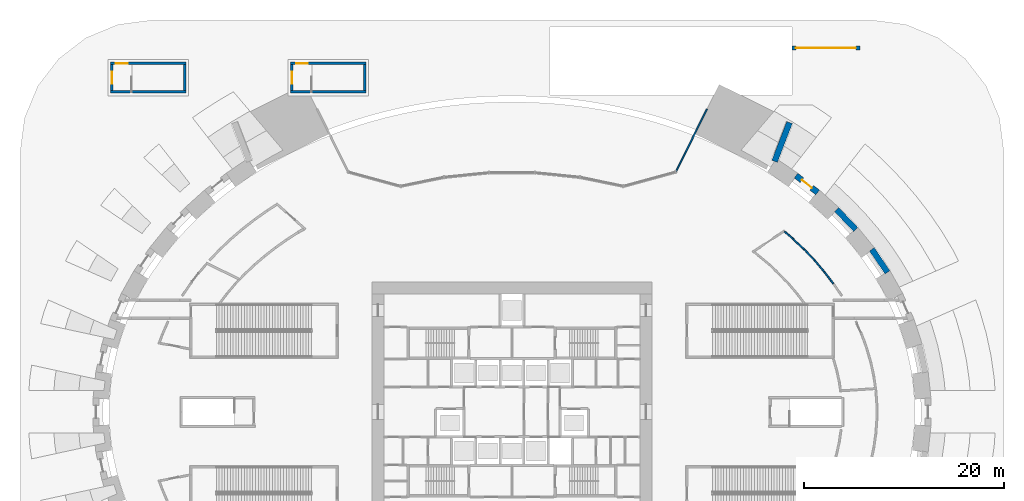
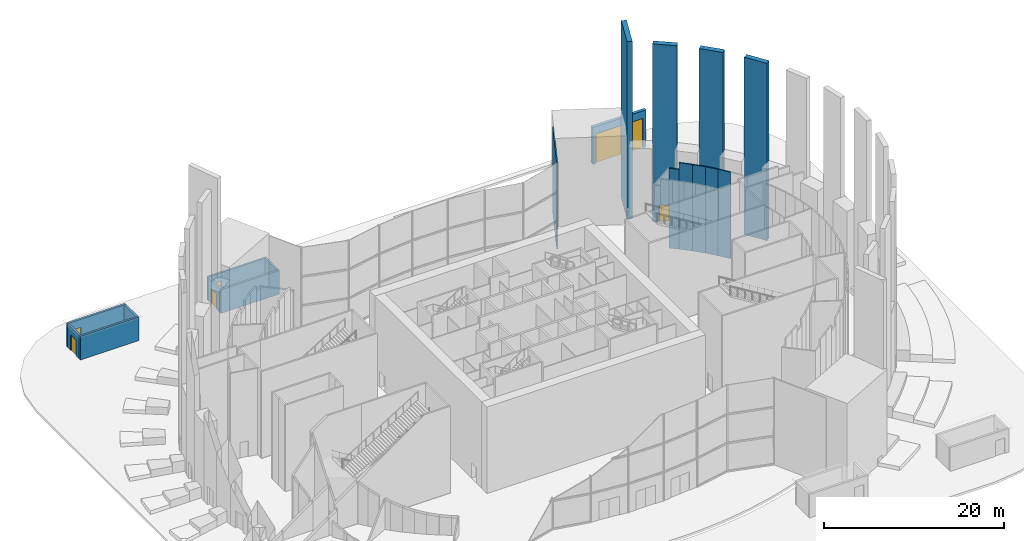
# One storey, part 15 of 25: 19 walls, 6 doors, 6 openings.
"""IFC4 building model written with IfcOpenShell, lengths in metres."""

import ifcopenshell
import ifcopenshell.guid

model = None  # the IFC model being written
_history = None  # IfcOwnerHistory: only IFC2X3 demands one
_inside = {}  # id of a spatial element -> (the spatial element, [elements in it])
_under = {}  # id of a project, library or spatial element -> (it, [spatial elements below it])
_declared = {}  # id of a project -> (the project, [libraries it declares])
_typed = {}  # id of a type object -> (the type object, [elements of that type])
_made_of = {}  # id of a material, layer set ... -> (it, [elements and type objects made of it])


def new_model(schema):
    """Start an empty IFC model of exactly this schema.

    Asked for "IFC4X3", IfcOpenShell would pick the latest addendum, in which some entities
    have other attributes; the version numbers below select the first issue.
    IFC2X3 requires an IfcOwnerHistory on every rooted entity: one is made here for all.
    """
    global model, _history
    if schema == "IFC4X3":
        model = ifcopenshell.file(schema_version=(4, 3, 0, 0))
    else:
        model = ifcopenshell.file(schema=schema)
    _inside.clear()
    _under.clear()
    _declared.clear()
    _typed.clear()
    _made_of.clear()
    _history = None
    if model.schema == "IFC2X3":
        org = make("IfcOrganization", Name="unknown")
        user = make(
            "IfcPersonAndOrganization",
            ThePerson=make("IfcPerson", FamilyName="unknown"),
            TheOrganization=org,
        )
        app = make(
            "IfcApplication",
            ApplicationDeveloper=org,
            Version="unknown",
            ApplicationFullName="unknown",
            ApplicationIdentifier="unknown",
        )
        _history = make(
            "IfcOwnerHistory",
            OwningUser=user,
            OwningApplication=app,
            ChangeAction="ADDED",
            CreationDate=0,
        )
    return model


def make(cls, **values):
    """One entity of the class cls with the attributes given. An attribute that is None is left unset."""
    return model.create_entity(
        cls, **{name: value for name, value in values.items() if value is not None}
    )


def rooted(cls, **values):
    """An entity with a GlobalId (a new one), such as an element, a storey or a relation."""
    return make(cls, GlobalId=ifcopenshell.guid.new(), OwnerHistory=_history, **values)


def si_unit(unit_type, name, prefix=None):
    """IfcSIUnit, for example si_unit("LENGTHUNIT", "METRE", prefix="MILLI")."""
    return make("IfcSIUnit", UnitType=unit_type, Prefix=prefix, Name=name)


def assignment(units):
    """IfcUnitAssignment: the units of a project."""
    return None if units is None else make("IfcUnitAssignment", Units=units)


def point(xyz):
    """IfcCartesianPoint."""
    return None if xyz is None else make("IfcCartesianPoint", Coordinates=xyz)


def direction(xyz):
    """IfcDirection."""
    return None if xyz is None else make("IfcDirection", DirectionRatios=xyz)


def frame(location, z_axis=None, x_axis=None):
    """IfcAxis2Placement3D, a coordinate frame: its origin and axes. An axis left out is left unset."""
    return make(
        "IfcAxis2Placement3D",
        Location=point(location),
        Axis=direction(z_axis),
        RefDirection=direction(x_axis),
    )


def frame_2d(location, x_axis=None):
    """IfcAxis2Placement2D, a coordinate frame in the plane: its origin and x axis."""
    return make(
        "IfcAxis2Placement2D", Location=point(location), RefDirection=direction(x_axis)
    )


def origin():
    """The frame at (0, 0, 0) with its axes left unset."""
    return frame((0.0, 0.0, 0.0))


def place(relative_to, where):
    """IfcLocalPlacement: puts the frame where relative to a parent placement (None: the world)."""
    return make(
        "IfcLocalPlacement", PlacementRelTo=relative_to, RelativePlacement=where
    )


def context(
    kind, dimensions, precision=None, world=None, true_north=None, identifier=None
):
    """IfcGeometricRepresentationContext, for example the 3D "Model" context."""
    return make(
        "IfcGeometricRepresentationContext",
        ContextIdentifier=identifier,
        ContextType=kind,
        CoordinateSpaceDimension=dimensions,
        Precision=precision,
        WorldCoordinateSystem=world,
        TrueNorth=true_north,
    )


def subcontext(parent, identifier, kind, view, scale=None):
    """IfcGeometricRepresentationSubContext, for example "Body" below "Model"."""
    return make(
        "IfcGeometricRepresentationSubContext",
        ContextIdentifier=identifier,
        ContextType=kind,
        ParentContext=parent,
        TargetScale=scale,
        TargetView=view,
    )


def project(units=None, contexts=None):
    """IfcProject with its units and contexts."""
    return rooted(
        "IfcProject",
        Name="project",
        RepresentationContexts=contexts,
        UnitsInContext=assignment(units),
    )


def spatial(cls, under=None, at=None, **own):
    """A site, building, storey or space (cls), placed at a placement, below another one or the project."""
    s = rooted(cls, ObjectPlacement=at, **own)
    if under is not None:
        _under.setdefault(under.id(), (under, []))[1].append(s)
    return s


def profile(cls, at=None, kind="AREA", **sizes):
    """A parametric profile (cls). Its sizes go by their IFC names, for example OverallWidth=200.0."""
    return make(cls, ProfileType=kind, Position=at, **sizes)


def rectangle(**sizes):
    """IfcRectangleProfileDef."""
    return profile("IfcRectangleProfileDef", **sizes)


def extrude(swept, where, along, depth):
    """IfcExtrudedAreaSolid: the profile swept, set in the frame where, extruded along a direction by depth."""
    return make(
        "IfcExtrudedAreaSolid",
        SweptArea=swept,
        Position=where,
        ExtrudedDirection=direction(along),
        Depth=depth,
    )


def shape(context_of_items, identifier, shape_type, items):
    """IfcShapeRepresentation: the items that make up one representation, for example the "Body"."""
    return make(
        "IfcShapeRepresentation",
        ContextOfItems=context_of_items,
        RepresentationIdentifier=identifier,
        RepresentationType=shape_type,
        Items=items,
    )


def source(mapping_origin, context_of_items, identifier, shape_type, items):
    """IfcRepresentationMap: a shape defined once, which mapped items show again and again."""
    return make(
        "IfcRepresentationMap",
        MappingOrigin=mapping_origin,
        MappedRepresentation=shape(context_of_items, identifier, shape_type, items),
    )


def transform(
    local_origin,
    x_axis=None,
    y_axis=None,
    z_axis=None,
    scale=None,
    scale2=None,
    scale3=None,
    uniform=True,
):
    """IfcCartesianTransformationOperator3D, or its non-uniform kind. x_axis, y_axis, z_axis: its Axis1, 2, 3."""
    if uniform:
        return make(
            "IfcCartesianTransformationOperator3D",
            Axis1=direction(x_axis),
            Axis2=direction(y_axis),
            LocalOrigin=point(local_origin),
            Scale=scale,
            Axis3=direction(z_axis),
        )
    return make(
        "IfcCartesianTransformationOperator3DnonUniform",
        Axis1=direction(x_axis),
        Axis2=direction(y_axis),
        LocalOrigin=point(local_origin),
        Scale=scale,
        Axis3=direction(z_axis),
        Scale2=scale2,
        Scale3=scale3,
    )


def mapped(mapping_source, mapping_target):
    """IfcMappedItem: shows the shape of a source again, moved by a transform."""
    return make(
        "IfcMappedItem", MappingSource=mapping_source, MappingTarget=mapping_target
    )


def material(Name=None, Category=None):
    """IfcMaterial."""
    return make("IfcMaterial", Name=Name, Category=Category)


def layer(
    of_material, thickness, ventilated=None, Name=None, Category=None, Priority=None
):
    """IfcMaterialLayer: one layer of a wall or slab, of a material (None: an air gap)."""
    return make(
        "IfcMaterialLayer",
        Material=of_material,
        LayerThickness=thickness,
        IsVentilated=ventilated,
        Name=Name,
        Category=Category,
        Priority=Priority,
    )


def layer_set(layers, Name=None):
    """IfcMaterialLayerSet."""
    return make("IfcMaterialLayerSet", MaterialLayers=layers, LayerSetName=Name)


def made_of(thing, what):
    """Note that an element or type object is made of a material, layer set ...; save() writes the relation."""
    if what is not None:
        _made_of.setdefault(what.id(), (what, []))[1].append(thing)
    return thing


def type_object(cls, material=None, **own):
    """A type object (cls), such as IfcWallType, which elements share."""
    return made_of(rooted(cls, **own), material)


def element(
    cls,
    number,
    at=None,
    inside=None,
    cuts=None,
    type_object=None,
    material=None,
    context=None,
    identifier="Body",
    shape_type=None,
    held_by="IfcProductDefinitionShape",
    body=None,
    shapes=None,
    **own,
):
    """One element of the class cls, such as IfcWall. Its Tag is "e" and its number.

    at: its placement. inside: the storey or other place that contains it. cuts: it is an
    opening in that element (IfcRelVoidsElement). A single representation is given by context,
    identifier, shape_type and body (its items); several are given by shapes. held_by: the class
    of the entity that holds the representations. save() writes the other relations.
    """
    e = rooted(cls, Tag="e%d" % number, ObjectPlacement=at, **own)
    if body is not None:
        shapes = [shape(context, identifier, shape_type, body)]
    if shapes is not None:
        e.Representation = make(held_by, Representations=shapes)
    if inside is not None:
        _inside.setdefault(inside.id(), (inside, []))[1].append(e)
    if cuts is not None:
        rooted(
            "IfcRelVoidsElement", RelatingBuildingElement=cuts, RelatedOpeningElement=e
        )
    if type_object is not None:
        _typed.setdefault(type_object.id(), (type_object, []))[1].append(e)
    return made_of(e, material)


def fill(opening, filler):
    """IfcRelFillsElement: the door or window that sits in an opening."""
    return rooted(
        "IfcRelFillsElement",
        RelatingOpeningElement=opening,
        RelatedBuildingElement=filler,
    )


def aggregate(whole, parts):
    """IfcRelAggregates: a whole, such as a stair, and the parts it consists of."""
    return rooted("IfcRelAggregates", RelatingObject=whole, RelatedObjects=parts)


def save(model, path):
    """Write the relations noted so far, then the file.

    IfcRelAggregates (storeys below a building ...), IfcRelContainedInSpatialStructure (elements
    in a storey), IfcRelDefinesByType, IfcRelAssociatesMaterial and IfcRelDeclares: one each for
    every whole, place, type object, material and project.
    """
    for whole, parts in _under.values():
        aggregate(whole, parts)
    for where, things in _inside.values():
        rooted(
            "IfcRelContainedInSpatialStructure",
            RelatedElements=things,
            RelatingStructure=where,
        )
    for kind, things in _typed.values():
        rooted("IfcRelDefinesByType", RelatedObjects=things, RelatingType=kind)
    for what, things in _made_of.values():
        rooted("IfcRelAssociatesMaterial", RelatedObjects=things, RelatingMaterial=what)
    for by, libraries in _declared.values():
        rooted("IfcRelDeclares", RelatingContext=by, RelatedDefinitions=libraries)
    model.write(path)


model = new_model("IFC4")

# Units and contexts
model_context = context("Model", 3, precision=1e-05, world=origin(), true_north=direction((0.0, 1.0)))
body_context = subcontext(model_context, "Body", "Model", "MODEL_VIEW")
ifc_project = project(units=[si_unit("LENGTHUNIT", "METRE"), si_unit("AREAUNIT", "SQUARE_METRE"), si_unit("VOLUMEUNIT", "CUBIC_METRE"), si_unit("PLANEANGLEUNIT", "RADIAN"), si_unit("MASSUNIT", "GRAM", prefix="KILO")], contexts=[model_context])

# Site, building, storey
site_placement = place(None, origin())
site = spatial("IfcSite", under=ifc_project, at=site_placement, CompositionType="ELEMENT")
building_placement = place(site_placement, origin())
building = spatial("IfcBuilding", under=site, at=building_placement, Name="Embergate Tower", CompositionType="ELEMENT")
storey_placement = place(building_placement, origin())
storey = spatial("IfcBuildingStorey", under=building, at=storey_placement, Name="L00", CompositionType="ELEMENT", Elevation=0.0)

# Wall
ifc_material_1 = material(Name="Brick masonry, solid, with terracotta coping", Category="masonry")
ifc_layer_1 = layer(ifc_material_1, 0.60009765625)
ifc_layer_set_1 = layer_set([ifc_layer_1], Name="Brick masonry, solid, with terracotta coping")
wall_type_1 = type_object("IfcWallType", Name="Masonry base wall", PredefinedType="SOLIDWALL", material=ifc_layer_set_1)
shared_shape_1 = source(origin(), body_context, "Body", "SweptSolid", [
    extrude(rectangle(XDim=4.158203125, YDim=0.60009765625, at=frame_2d((2.0791015625, 0.0))), origin(), (0.0, 0.0, 1.0), 24.0),
])
wall_1_placement = place(storey_placement, frame((27.75634765625, 28.943359375, 0.0), z_axis=(0.0, 0.0, 1.0), x_axis=(-0.359557362016, -0.933122984081, 0.0)))
element("IfcWall", 1, at=wall_1_placement, inside=storey, type_object=wall_type_1, Name="Masonry base wall 6", PredefinedType="SOLIDWALL", context=body_context, shape_type="MappedRepresentation", body=[
    mapped(shared_shape_1, transform((0.0, 0.0, 0.0))),
])

# Wall, opening, door
shared_shape_2 = source(origin(), body_context, "Body", "SweptSolid", [
    extrude(rectangle(XDim=2.734375, YDim=0.60009765625, at=frame_2d((1.3671875, 0.0))), origin(), (0.0, 0.0, 1.0), 24.0),
])
wall_2_placement = place(storey_placement, frame((28.406005859375, 23.63720703125, 0.0), z_axis=(0.0, 0.0, 1.0), x_axis=(0.789015561302, -0.614373212325, 0.0)))
wall_2 = element("IfcWall", 2, at=wall_2_placement, inside=storey, type_object=wall_type_1, Name="Masonry base wall 5", PredefinedType="SOLIDWALL", context=body_context, shape_type="MappedRepresentation", body=[
    mapped(shared_shape_2, transform((0.0, 0.0, 0.0))),
])
shared_shape_3 = source(origin(), body_context, "Body", "SweptSolid", [
    extrude(rectangle(XDim=1.25, YDim=2.300048828125, at=frame_2d((0.625, 1.14990234375))), frame((0.0, 0.31005859375, 0.0), z_axis=(0.0, -1.0, 0.0), x_axis=(1.0, 0.0, 0.0)), (0.0, 0.0, 1.0), 0.6201171875),
])
opening_1_placement = place(wall_2_placement, frame((0.7421875, 0.0, 0.0)))
opening_1 = element("IfcOpeningElement", 3, at=opening_1_placement, cuts=wall_2, Name="Opening XD", PredefinedType="OPENING", context=body_context, shape_type="MappedRepresentation", body=[
    mapped(shared_shape_3, transform((0.0, 0.0, 0.0))),
])
ifc_material_2 = material(Name="Aluminium and toughened glass", Category="aluminium")
door_type_1 = type_object("IfcDoorType", Name="Exit door leaf", OperationType="SINGLE_SWING_LEFT", PredefinedType="DOOR", material=ifc_material_2)
shared_shape_4 = source(origin(), body_context, "Body", "SweptSolid", [
    extrude(rectangle(XDim=1.25, YDim=2.300048828125, at=frame_2d((0.625, 1.14990234375))), frame((0.0, 0.02490234375, 0.0), z_axis=(0.0, -1.0, 0.0), x_axis=(1.0, 0.0, 0.0)), (0.0, 0.0, 1.0), 0.050048828125),
])
door_1_placement = place(opening_1_placement, origin())
door_1 = element("IfcDoor", 4, at=door_1_placement, inside=storey, type_object=door_type_1, Name="Exit door ST1 5.1", OperationType="SINGLE_SWING_LEFT", OverallHeight=2.300048828125, OverallWidth=1.25, PredefinedType="DOOR", context=body_context, shape_type="MappedRepresentation", body=[
    mapped(shared_shape_4, transform((0.0, 0.0, 0.0))),
])
fill(opening_1, door_1)

# Walls
shared_shape_5 = source(origin(), body_context, "Body", "SweptSolid", [
    extrude(rectangle(XDim=2.75634765625, YDim=0.60009765625, at=frame_2d((1.378173828125, 0.0))), origin(), (0.0, 0.0, 1.0), 24.0),
])
wall_3_placement = place(storey_placement, frame((32.4658203125, 20.243896484375, 0.0), z_axis=(0.0, 0.0, 1.0), x_axis=(0.691073808808, -0.722784193781, 0.0)))
element("IfcWall", 5, at=wall_3_placement, inside=storey, type_object=wall_type_1, Name="Masonry base wall 4", PredefinedType="SOLIDWALL", context=body_context, shape_type="MappedRepresentation", body=[
    mapped(shared_shape_5, transform((0.0, 0.0, 0.0))),
])
shared_shape_6 = source(origin(), body_context, "Body", "SweptSolid", [
    extrude(rectangle(XDim=2.781982421875, YDim=0.60009765625, at=frame_2d((1.39111328125, 0.0))), origin(), (0.0, 0.0, 1.0), 24.0),
])
wall_4_placement = place(storey_placement, frame((35.98583984375, 16.265380859375, 0.0), z_axis=(0.0, 0.0, 1.0), x_axis=(0.563478413483, -0.826130787187, 0.0)))
element("IfcWall", 6, at=wall_4_placement, inside=storey, type_object=wall_type_1, Name="Masonry base wall 3", PredefinedType="SOLIDWALL", context=body_context, shape_type="MappedRepresentation", body=[
    mapped(shared_shape_6, transform((0.0, 0.0, 0.0))),
])
ifc_layer_2 = layer(ifc_material_2, 0.139892578125)
ifc_layer_set_2 = layer_set([ifc_layer_2], Name="Aluminium and toughened glass")
wall_type_2 = type_object("IfcWallType", Name="Glazed portal return", PredefinedType="SOLIDWALL", material=ifc_layer_set_2)
shared_shape_7 = source(origin(), body_context, "Body", "SweptSolid", [
    extrude(rectangle(XDim=7.0, YDim=0.139892578125, at=frame_2d((3.5, 0.0))), origin(), (0.0, 0.0, 1.0), 11.699951171875),
])
wall_5_placement = place(storey_placement, frame((19.4951171875, 30.2880859375, 0.0), z_axis=(0.0, 0.0, 1.0), x_axis=(-0.444714670292, -0.895672296115, 0.0)))
element("IfcWall", 7, at=wall_5_placement, inside=storey, type_object=wall_type_2, Name="Portal return N1", PredefinedType="SOLIDWALL", context=body_context, shape_type="MappedRepresentation", body=[
    mapped(shared_shape_7, transform((0.0, 0.0, 0.0))),
])
ifc_material_3 = material(Name="Plasterboard on steel stud", Category="steel")
ifc_layer_3 = layer(ifc_material_3, 0.14990234375)
ifc_layer_set_3 = layer_set([ifc_layer_3], Name="Plasterboard on steel stud")
wall_type_3 = type_object("IfcWallType", Name="Partition wall 150 board", PredefinedType="PARTITIONING", material=ifc_layer_set_3)
shared_shape_8 = source(origin(), body_context, "Body", "SweptSolid", [
    extrude(rectangle(XDim=1.509765625, YDim=0.14990234375, at=frame_2d((0.7548828125, 0.0))), origin(), (0.0, 0.0, 1.0), 11.699951171875),
])
wall_6_placement = place(storey_placement, frame((31.219970703125, 14.0400390625, 0.0), z_axis=(0.0, 0.0, 1.0), x_axis=(0.608631808194, -0.793452785019, 0.0)))
element("IfcWall", 8, at=wall_6_placement, inside=storey, type_object=wall_type_3, Name="Partition 118", PredefinedType="PARTITIONING", context=body_context, shape_type="MappedRepresentation", body=[
    mapped(shared_shape_8, transform((0.0, 0.0, 0.0))),
])
shared_shape_9 = source(origin(), body_context, "Body", "SweptSolid", [
    extrude(rectangle(XDim=1.5078125, YDim=0.14990234375, at=frame_2d((0.75390625, 0.0))), origin(), (0.0, 0.0, 1.0), 11.699951171875),
])
wall_7_placement = place(storey_placement, frame((29.215087890625, 16.25390625, 0.0), z_axis=(0.0, 0.0, 1.0), x_axis=(0.690398724504, -0.723429057478, 0.0)))
element("IfcWall", 9, at=wall_7_placement, inside=storey, type_object=wall_type_3, Name="Partition 111", PredefinedType="PARTITIONING", context=body_context, shape_type="MappedRepresentation", body=[
    mapped(shared_shape_9, transform((0.0, 0.0, 0.0))),
])
shared_shape_10 = source(origin(), body_context, "Body", "SweptSolid", [
    extrude(rectangle(XDim=1.53515625, YDim=0.14990234375, at=frame_2d((0.767578125, 0.0))), origin(), (0.0, 0.0, 1.0), 11.699951171875),
])
wall_8_placement = place(storey_placement, frame((28.10107421875, 17.31005859375, 0.0), z_axis=(0.0, 0.0, 1.0), x_axis=(0.72570188564, -0.68800928277, 0.0)))
element("IfcWall", 10, at=wall_8_placement, inside=storey, type_object=wall_type_3, Name="Partition 107", PredefinedType="PARTITIONING", context=body_context, shape_type="MappedRepresentation", body=[
    mapped(shared_shape_10, transform((0.0, 0.0, 0.0))),
])
shared_shape_11 = source(origin(), body_context, "Body", "SweptSolid", [
    extrude(rectangle(XDim=1.11181640625, YDim=0.14990234375, at=frame_2d((0.555908203125, 0.0))), origin(), (0.0, 0.0, 1.0), 10.800048828125),
])
wall_9_placement = place(storey_placement, frame((27.257080078125, 18.033935546875, 0.0), z_axis=(0.0, 0.0, 1.0), x_axis=(0.75905507779, -0.651026411816, 0.0)))
element("IfcWall", 11, at=wall_9_placement, inside=storey, type_object=wall_type_3, Name="Partition 102", PredefinedType="PARTITIONING", context=body_context, shape_type="MappedRepresentation", body=[
    mapped(shared_shape_11, transform((0.0, 0.0, 0.0))),
])
shared_shape_12 = source(origin(), body_context, "Body", "SweptSolid", [
    extrude(rectangle(XDim=1.47998046875, YDim=0.14990234375, at=frame_2d((0.739990234375, 0.0))), origin(), (0.0, 0.0, 1.0), 11.699951171875),
])
wall_10_placement = place(storey_placement, frame((30.256103515625, 15.1630859375, 0.0), z_axis=(0.0, 0.0, 1.0), x_axis=(0.651280310014, -0.758837240644, 0.0)))
element("IfcWall", 12, at=wall_10_placement, inside=storey, type_object=wall_type_3, Name="Partition 116", PredefinedType="PARTITIONING", context=body_context, shape_type="MappedRepresentation", body=[
    mapped(shared_shape_12, transform((0.0, 0.0, 0.0))),
])

# Wall, opening, door
ifc_material_4 = material(Name="Concrete C40", Category="concrete")
ifc_layer_4 = layer(ifc_material_4, 0.39990234375)
ifc_layer_set_4 = layer_set([ifc_layer_4], Name="Concrete C40")
wall_type_4 = type_object("IfcWallType", Name="Gate wall C40 400", PredefinedType="SOLIDWALL", material=ifc_layer_set_4)
shared_shape_13 = source(origin(), body_context, "Body", "SweptSolid", [
    extrude(rectangle(XDim=6.800048828125, YDim=0.39990234375, at=frame_2d((3.39990234375, 0.0))), origin(), (0.0, 0.0, 1.0), 5.0),
])
wall_11_placement = place(storey_placement, frame((28.0, 36.39990234375, 0.0), z_axis=(0.0, 0.0, 1.0), x_axis=(1.0, 0.0, 0.0)))
wall_11 = element("IfcWall", 13, at=wall_11_placement, inside=storey, type_object=wall_type_4, Name="Gate wall", PredefinedType="SOLIDWALL", context=body_context, shape_type="MappedRepresentation", body=[
    mapped(shared_shape_13, transform((0.0, 0.0, 0.0))),
])
shared_shape_14 = source(origin(), body_context, "Body", "SweptSolid", [
    extrude(rectangle(XDim=6.0, YDim=4.0, at=frame_2d((3.0, 2.0))), frame((0.0, 0.2099609375, 0.0), z_axis=(0.0, -1.0, 0.0), x_axis=(1.0, 0.0, 0.0)), (0.0, 0.0, 1.0), 0.419921875),
])
opening_2_placement = place(wall_11_placement, frame((0.39990234375, 0.0, 0.0)))
opening_2 = element("IfcOpeningElement", 14, at=opening_2_placement, cuts=wall_11, Name="Opening VG-01", PredefinedType="OPENING", context=body_context, shape_type="MappedRepresentation", body=[
    mapped(shared_shape_14, transform((0.0, 0.0, 0.0))),
])
ifc_material_5 = material(Name="Steel gate leaf", Category="steel")
door_type_2 = type_object("IfcDoorType", Name="Vehicle gate sliding 6000x4000", OperationType="SLIDING_TO_LEFT", PredefinedType="GATE", material=ifc_material_5)
shared_shape_15 = source(origin(), body_context, "Body", "SweptSolid", [
    extrude(rectangle(XDim=6.0, YDim=4.0, at=frame_2d((3.0, 2.0))), frame((0.0, 0.02490234375, 0.0), z_axis=(0.0, -1.0, 0.0), x_axis=(1.0, 0.0, 0.0)), (0.0, 0.0, 1.0), 0.050048828125),
])
door_2_placement = place(opening_2_placement, origin())
door_2 = element("IfcDoor", 15, at=door_2_placement, inside=storey, type_object=door_type_2, Name="Vehicle gate", OperationType="SINGLE_SWING_LEFT", OverallHeight=4.0, OverallWidth=6.0, PredefinedType="GATE", context=body_context, shape_type="MappedRepresentation", body=[
    mapped(shared_shape_15, transform((0.0, 0.0, 0.0))),
])
fill(opening_2, door_2)

# Wall
ifc_layer_5 = layer(ifc_material_4, 0.25)
ifc_layer_set_5 = layer_set([ifc_layer_5], Name="Concrete C40")
wall_type_5 = type_object("IfcWallType", Name="Stair head house wall C40 250", PredefinedType="SOLIDWALL", material=ifc_layer_set_5)
shared_shape_16 = source(origin(), body_context, "Body", "SweptSolid", [
    extrude(rectangle(XDim=7.52001953125, YDim=0.25, at=frame_2d((3.760009765625, 0.0))), origin(), (0.0, 0.0, 1.0), 3.199951171875),
])
wall_12_placement = place(storey_placement, frame((-22.125, 32.0, 0.0), z_axis=(0.0, 0.0, 1.0), x_axis=(1.0, 0.0, 0.0)))
element("IfcWall", 16, at=wall_12_placement, inside=storey, type_object=wall_type_5, Name="Stair head house wall", PredefinedType="SOLIDWALL", context=body_context, shape_type="MappedRepresentation", body=[
    mapped(shared_shape_16, transform((0.0, 0.0, 0.0))),
])

# Wall, opening, door
wall_13_placement = place(storey_placement, frame((-22.125, 34.85009765625, 0.0), z_axis=(0.0, 0.0, 1.0), x_axis=(1.0, 0.0, 0.0)))
wall_13 = element("IfcWall", 17, at=wall_13_placement, inside=storey, type_object=wall_type_5, Name="Stair head house wall", PredefinedType="SOLIDWALL", context=body_context, shape_type="MappedRepresentation", body=[
    mapped(shared_shape_16, transform((0.0, 0.0, 0.0))),
])
shared_shape_17 = source(origin(), body_context, "Body", "SweptSolid", [
    extrude(rectangle(XDim=1.199951171875, YDim=2.10009765625, at=frame_2d((0.60009765625, 1.050048828125))), frame((0.0, 0.135009765625, 0.0), z_axis=(0.0, -1.0, 0.0), x_axis=(1.0, 0.0, 0.0)), (0.0, 0.0, 1.0), 0.27001953125),
])
opening_3_placement = place(wall_13_placement, frame((0.52490234375, 0.0, 0.0)))
opening_3 = element("IfcOpeningElement", 18, at=opening_3_placement, cuts=wall_13, Name="Opening XD-1", PredefinedType="OPENING", context=body_context, shape_type="MappedRepresentation", body=[
    mapped(shared_shape_17, transform((0.0, 0.0, 0.0))),
])
ifc_material_6 = material(Name="Timber door leaf, steel frame", Category="steel")
door_type_3 = type_object("IfcDoorType", Name="Plant door 1200x2100", OperationType="SINGLE_SWING_LEFT", PredefinedType="DOOR", material=ifc_material_6)
shared_shape_18 = source(origin(), body_context, "Body", "SweptSolid", [
    extrude(rectangle(XDim=1.199951171875, YDim=2.10009765625, at=frame_2d((0.60009765625, 1.050048828125))), frame((0.0, 0.02490234375, 0.0), z_axis=(0.0, -1.0, 0.0), x_axis=(1.0, 0.0, 0.0)), (0.0, 0.0, 1.0), 0.050048828125),
])
door_3_placement = place(opening_3_placement, origin())
door_3 = element("IfcDoor", 19, at=door_3_placement, inside=storey, type_object=door_type_3, Name="Stair final exit door", OperationType="SINGLE_SWING_LEFT", OverallHeight=2.10009765625, OverallWidth=1.199951171875, PredefinedType="DOOR", context=body_context, shape_type="MappedRepresentation", body=[
    mapped(shared_shape_18, transform((0.0, 0.0, 0.0))),
])
fill(opening_3, door_3)

# Wall
wall_14_placement = place(storey_placement, frame((-40.125, 32.0, 0.0), z_axis=(0.0, 0.0, 1.0), x_axis=(1.0, 0.0, 0.0)))
element("IfcWall", 20, at=wall_14_placement, inside=storey, type_object=wall_type_5, Name="Stair head house wall", PredefinedType="SOLIDWALL", context=body_context, shape_type="MappedRepresentation", body=[
    mapped(shared_shape_16, transform((0.0, 0.0, 0.0))),
])

# Wall, opening, door
wall_15_placement = place(storey_placement, frame((-40.125, 34.85009765625, 0.0), z_axis=(0.0, 0.0, 1.0), x_axis=(1.0, 0.0, 0.0)))
wall_15 = element("IfcWall", 21, at=wall_15_placement, inside=storey, type_object=wall_type_5, Name="Stair head house wall", PredefinedType="SOLIDWALL", context=body_context, shape_type="MappedRepresentation", body=[
    mapped(shared_shape_16, transform((0.0, 0.0, 0.0))),
])
opening_4_placement = place(wall_15_placement, frame((0.52490234375, 0.0, 0.0)))
opening_4 = element("IfcOpeningElement", 22, at=opening_4_placement, cuts=wall_15, Name="Opening XD-2", PredefinedType="OPENING", context=body_context, shape_type="MappedRepresentation", body=[
    mapped(shared_shape_17, transform((0.0, 0.0, 0.0))),
])
door_4_placement = place(opening_4_placement, origin())
door_4 = element("IfcDoor", 23, at=door_4_placement, inside=storey, type_object=door_type_3, Name="Stair final exit door", OperationType="SINGLE_SWING_LEFT", OverallHeight=2.10009765625, OverallWidth=1.199951171875, PredefinedType="DOOR", context=body_context, shape_type="MappedRepresentation", body=[
    mapped(shared_shape_18, transform((0.0, 0.0, 0.0))),
])
fill(opening_4, door_4)

# Wall
shared_shape_19 = source(origin(), body_context, "Body", "SweptSolid", [
    extrude(rectangle(XDim=2.60009765625, YDim=0.25, at=frame_2d((1.300048828125, 0.0))), origin(), (0.0, 0.0, 1.0), 3.199951171875),
])
wall_16_placement = place(storey_placement, frame((-14.72998046875, 32.125, 0.0), z_axis=(0.0, 0.0, 1.0), x_axis=(0.0, 1.0, 0.0)))
element("IfcWall", 24, at=wall_16_placement, inside=storey, type_object=wall_type_5, Name="Stair head house wall", PredefinedType="SOLIDWALL", context=body_context, shape_type="MappedRepresentation", body=[
    mapped(shared_shape_19, transform((0.0, 0.0, 0.0))),
])

# Wall, opening, door
wall_17_placement = place(storey_placement, frame((-22.0, 32.125, 0.0), z_axis=(0.0, 0.0, 1.0), x_axis=(0.0, 1.0, 0.0)))
wall_17 = element("IfcWall", 25, at=wall_17_placement, inside=storey, type_object=wall_type_5, Name="Stair head house wall", PredefinedType="SOLIDWALL", context=body_context, shape_type="MappedRepresentation", body=[
    mapped(shared_shape_19, transform((0.0, 0.0, 0.0))),
])
opening_5_placement = place(wall_17_placement, frame((0.699951171875, 0.0, 0.0)))
opening_5 = element("IfcOpeningElement", 26, at=opening_5_placement, cuts=wall_17, Name="Opening XE-1", PredefinedType="OPENING", context=body_context, shape_type="MappedRepresentation", body=[
    mapped(shared_shape_17, transform((0.0, 0.0, 0.0))),
])
door_5_placement = place(opening_5_placement, origin())
door_5 = element("IfcDoor", 27, at=door_5_placement, inside=storey, type_object=door_type_3, Name="Stair second exit door", OperationType="SINGLE_SWING_LEFT", OverallHeight=2.10009765625, OverallWidth=1.199951171875, PredefinedType="DOOR", context=body_context, shape_type="MappedRepresentation", body=[
    mapped(shared_shape_18, transform((0.0, 0.0, 0.0))),
])
fill(opening_5, door_5)

# Wall
wall_18_placement = place(storey_placement, frame((-32.72998046875, 32.125, 0.0), z_axis=(0.0, 0.0, 1.0), x_axis=(0.0, 1.0, 0.0)))
element("IfcWall", 28, at=wall_18_placement, inside=storey, type_object=wall_type_5, Name="Stair head house wall", PredefinedType="SOLIDWALL", context=body_context, shape_type="MappedRepresentation", body=[
    mapped(shared_shape_19, transform((0.0, 0.0, 0.0))),
])

# Wall, opening, door
wall_19_placement = place(storey_placement, frame((-40.0, 32.125, 0.0), z_axis=(0.0, 0.0, 1.0), x_axis=(0.0, 1.0, 0.0)))
wall_19 = element("IfcWall", 29, at=wall_19_placement, inside=storey, type_object=wall_type_5, Name="Stair head house wall", PredefinedType="SOLIDWALL", context=body_context, shape_type="MappedRepresentation", body=[
    mapped(shared_shape_19, transform((0.0, 0.0, 0.0))),
])
opening_6_placement = place(wall_19_placement, frame((0.699951171875, 0.0, 0.0)))
opening_6 = element("IfcOpeningElement", 30, at=opening_6_placement, cuts=wall_19, Name="Opening XE-2", PredefinedType="OPENING", context=body_context, shape_type="MappedRepresentation", body=[
    mapped(shared_shape_17, transform((0.0, 0.0, 0.0))),
])
door_6_placement = place(opening_6_placement, origin())
door_6 = element("IfcDoor", 31, at=door_6_placement, inside=storey, type_object=door_type_3, Name="Stair second exit door", OperationType="SINGLE_SWING_LEFT", OverallHeight=2.10009765625, OverallWidth=1.199951171875, PredefinedType="DOOR", context=body_context, shape_type="MappedRepresentation", body=[
    mapped(shared_shape_18, transform((0.0, 0.0, 0.0))),
])
fill(opening_6, door_6)

save(model, "model.ifc")
